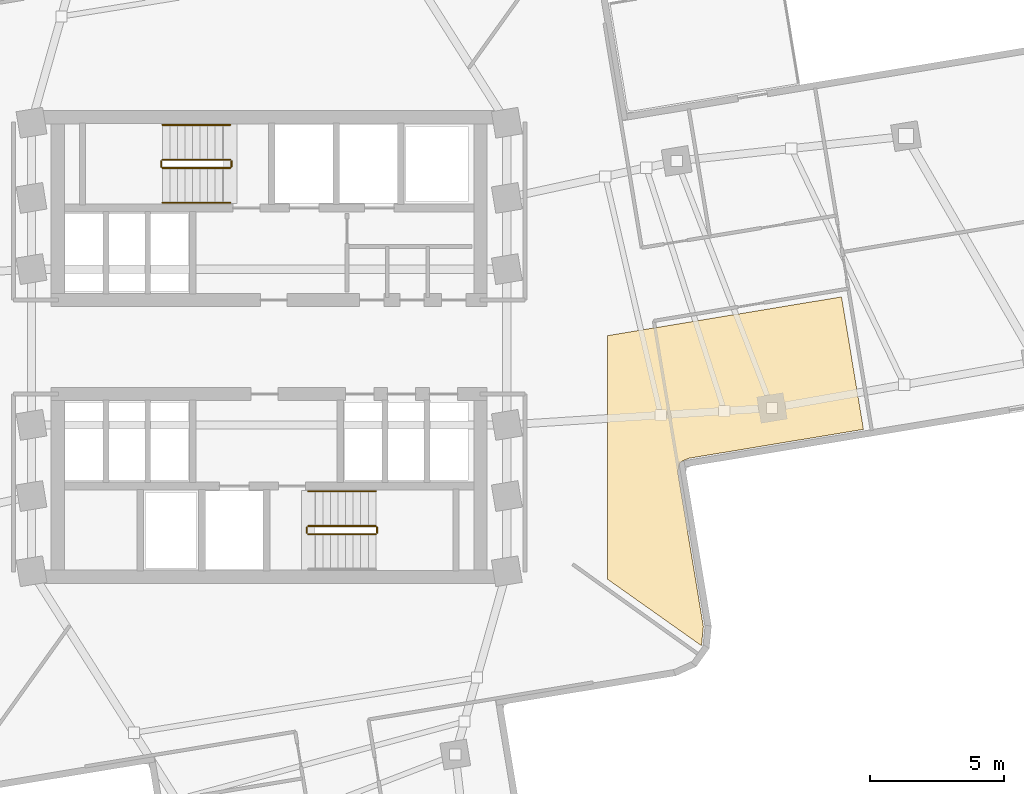
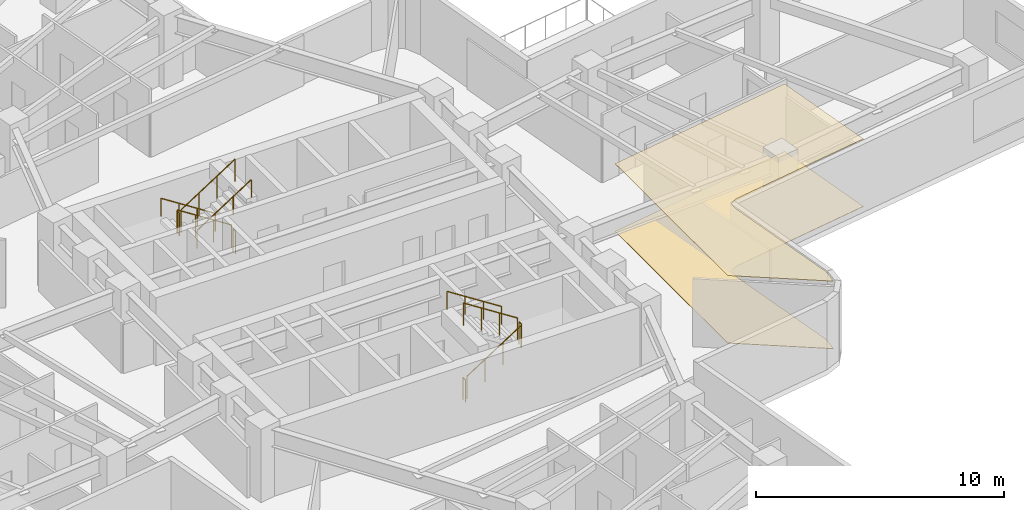
# One storey, part 12 of 13: 11 railings, 2 coverings.
"""IFC4 building model written with IfcOpenShell, lengths in metres."""

from ifc_helpers import new_model, si_unit, direction, frame, origin, origin_2d, place, context, subcontext, project, spatial, polyline, circle, outline, extrude, material, layer, layer_set, type_object, element, save


model = new_model("IFC4")

# Units and contexts
model_context = context("Model", 3, precision=1e-05, world=origin(), true_north=direction((0.0, 1.0)))
body_context = subcontext(model_context, "Body", "Model", "MODEL_VIEW")
ifc_project = project(units=[si_unit("LENGTHUNIT", "METRE"), si_unit("AREAUNIT", "SQUARE_METRE"), si_unit("VOLUMEUNIT", "CUBIC_METRE"), si_unit("PLANEANGLEUNIT", "RADIAN"), si_unit("MASSUNIT", "GRAM", prefix="KILO")], contexts=[model_context])

# Site, building, storey
site_placement = place(None, origin())
site = spatial("IfcSite", under=ifc_project, at=site_placement, CompositionType="ELEMENT")
building_placement = place(site_placement, origin())
building = spatial("IfcBuilding", under=site, at=building_placement, Name="Solmarez Civic Tower", CompositionType="ELEMENT")
storey_placement = place(building_placement, frame((0.0, 0.0, 96.47998046875)))
storey = spatial("IfcBuildingStorey", under=building, at=storey_placement, Name="L25", CompositionType="ELEMENT", Elevation=96.47998046875)

# Coverings
ifc_material_1 = material(Name="Perforated Mineral-Fibre Acoustic Ceiling")
ifc_layer_1 = layer(ifc_material_1, 0.02490234375)
ifc_layer_set_1 = layer_set([ifc_layer_1], Name="Perforated Mineral-Fibre Acoustic Ceiling")
covering_type_1 = type_object("IfcCoveringType", Name="COV-CEIL-ACOUSTIC", PredefinedType="CEILING", material=ifc_layer_set_1)
covering_1_placement = place(storey_placement, frame((0.0, 0.0, 3.31494140625)))
element("IfcCovering", 1, at=covering_1_placement, inside=storey, type_object=covering_type_1, Name="L25 Suspended Acoustic Ceiling 1", PredefinedType="CEILING", context=body_context, shape_type="SweptSolid", body=[
    extrude(outline(polyline([(12.60009765625, 0.423095703125), (12.60009765625, -8.64697265625), (16.093994140625, -11.1201171875), (16.097900390625, -11.114990234375), (16.1669921875, -10.408935546875), (15.22705078125, -4.72705078125), (15.22607421875, -4.721923828125), (15.22509765625, -4.715087890625), (15.222900390625, -4.68408203125), (15.222900390625, -4.669921875), (15.22412109375, -4.64794921875), (15.240966796875, -4.47705078125), (15.241943359375, -4.468017578125), (15.242919921875, -4.4609375), (15.248046875, -4.43896484375), (15.25, -4.430908203125), (15.2509765625, -4.424072265625), (15.2529296875, -4.4169921875), (15.262939453125, -4.389892578125), (15.26611328125, -4.383056640625), (15.27490234375, -4.364990234375), (15.284912109375, -4.347900390625), (15.2890625, -4.342041015625), (15.29296875, -4.3359375), (15.298095703125, -4.3291015625), (15.30908203125, -4.31494140625), (15.318115234375, -4.304931640625), (15.33203125, -4.2900390625), (15.347900390625, -4.27490234375), (15.364990234375, -4.262939453125), (15.37109375, -4.259033203125), (15.376953125, -4.2548828125), (15.389892578125, -4.2470703125), (15.39697265625, -4.242919921875), (15.4150390625, -4.23388671875), (15.572021484375, -4.1630859375), (15.593017578125, -4.154052734375), (15.59912109375, -4.152099609375), (15.60888671875, -4.14892578125), (15.623046875, -4.14501953125), (15.64697265625, -4.139892578125), (22.1279296875, -3.06689453125), (21.31201171875, 1.865966796875), (12.60009765625, 0.423095703125)])), origin(), (0.0, 0.0, 1.0), 0.025146484375),
])
ifc_material_2 = material(Name="Polished Tropical Stone Terrazzo Flooring", Category="masonry")
ifc_layer_2 = layer(ifc_material_2, 0.02001953125)
ifc_layer_set_2 = layer_set([ifc_layer_2], Name="Polished Tropical Stone Terrazzo Flooring")
covering_type_2 = type_object("IfcCoveringType", Name="COV-FLOOR-TERRAZZO", PredefinedType="FLOORING", material=ifc_layer_set_2)
covering_2_placement = place(storey_placement, origin())
element("IfcCovering", 2, at=covering_2_placement, inside=storey, type_object=covering_type_2, Name="L25 Terrazzo Floor Finish 1", PredefinedType="FLOORING", context=body_context, shape_type="SweptSolid", body=[
    extrude(outline(polyline([(12.60009765625, 0.423095703125), (12.60009765625, -8.64697265625), (16.093994140625, -11.1201171875), (16.097900390625, -11.114990234375), (16.1669921875, -10.408935546875), (15.22705078125, -4.72705078125), (15.22607421875, -4.721923828125), (15.22509765625, -4.715087890625), (15.222900390625, -4.68408203125), (15.222900390625, -4.669921875), (15.22412109375, -4.64794921875), (15.240966796875, -4.47705078125), (15.241943359375, -4.468017578125), (15.242919921875, -4.4609375), (15.248046875, -4.43896484375), (15.25, -4.430908203125), (15.2509765625, -4.424072265625), (15.2529296875, -4.4169921875), (15.262939453125, -4.389892578125), (15.26611328125, -4.383056640625), (15.27490234375, -4.364990234375), (15.284912109375, -4.347900390625), (15.2890625, -4.342041015625), (15.29296875, -4.3359375), (15.298095703125, -4.3291015625), (15.30908203125, -4.31494140625), (15.318115234375, -4.304931640625), (15.33203125, -4.2900390625), (15.347900390625, -4.27490234375), (15.364990234375, -4.262939453125), (15.37109375, -4.259033203125), (15.376953125, -4.2548828125), (15.389892578125, -4.2470703125), (15.39697265625, -4.242919921875), (15.4150390625, -4.23388671875), (15.572021484375, -4.1630859375), (15.593017578125, -4.154052734375), (15.59912109375, -4.152099609375), (15.60888671875, -4.14892578125), (15.623046875, -4.14501953125), (15.64697265625, -4.139892578125), (22.1279296875, -3.06689453125), (21.31201171875, 1.865966796875), (12.60009765625, 0.423095703125)])), origin(), (0.0, 0.0, 1.0), 0.02001953125),
])

# Railings
ifc_material_3 = material(Name="Painted Steel Stairwell Safety Guard", Category="steel")
railing_type_1 = type_object("IfcRailingType", Name="GUARD-STAIR-1120", PredefinedType="BALUSTRADE", material=ifc_material_3)
railing_1_placement = place(storey_placement, frame((-1.449951171875, 6.969970703125, 0.179931640625)))
element("IfcRailing", 3, at=railing_1_placement, inside=storey, type_object=railing_type_1, Name="L25 ST-1 stair guard 1", PredefinedType="BALUSTRADE", context=body_context, shape_type="SweptSolid", body=[
    extrude(circle(Radius=0.02392578125, at=origin_2d()), frame((0.0, 0.0, 1.09619140625), z_axis=(-0.841162588446, 0.0, 0.540782303519), x_axis=(0.0, -1.0, 0.0)), (0.0, 0.0, 1.0), 2.995849609375),
    extrude(circle(Radius=0.02099609375, at=origin_2d()), origin(), (0.0, 0.0, 1.0), 1.072021484375),
    extrude(circle(Radius=0.02099609375, at=origin_2d()), frame((-0.840087890625, 0.0, 0.5400390625)), (0.0, 0.0, 1.0), 1.072021484375),
    extrude(circle(Radius=0.02099609375, at=origin_2d()), frame((-1.679931640625, 0.0, 1.080078125)), (0.0, 0.0, 1.0), 1.072021484375),
    extrude(circle(Radius=0.02099609375, at=origin_2d()), frame((-2.52001953125, 0.0, 1.6201171875)), (0.0, 0.0, 1.0), 1.072021484375),
])
railing_2_placement = place(storey_placement, frame((-4.02001953125, 6.919921875, 1.800048828125)))
element("IfcRailing", 4, at=railing_2_placement, inside=storey, type_object=railing_type_1, Name="L25 ST-1 stair guard 2", PredefinedType="BALUSTRADE", context=body_context, shape_type="SweptSolid", body=[
    extrude(circle(Radius=0.02392578125, at=origin_2d()), frame((0.0, 0.0, 1.09619140625), z_axis=(0.0, -1.0, 0.0), x_axis=(1.0, 0.0, 0.0)), (0.0, 0.0, 1.0), 0.199951171875),
    extrude(circle(Radius=0.02099609375, at=origin_2d()), origin(), (0.0, 0.0, 1.0), 1.072021484375),
    extrude(circle(Radius=0.02099609375, at=origin_2d()), frame((0.0, -0.199951171875, 0.0)), (0.0, 0.0, 1.0), 1.072021484375),
])
railing_3_placement = place(storey_placement, frame((-3.969970703125, 6.669921875, 1.97998046875)))
element("IfcRailing", 5, at=railing_3_placement, inside=storey, type_object=railing_type_1, Name="L25 ST-1 stair guard 3", PredefinedType="BALUSTRADE", context=body_context, shape_type="SweptSolid", body=[
    extrude(circle(Radius=0.02392578125, at=origin_2d()), frame((0.0, 0.0, 1.09619140625), z_axis=(0.841162588446, 0.0, 0.540782303519), x_axis=(0.0, 1.0, 0.0)), (0.0, 0.0, 1.0), 2.995849609375),
    extrude(circle(Radius=0.02099609375, at=origin_2d()), origin(), (0.0, 0.0, 1.0), 1.072021484375),
    extrude(circle(Radius=0.02099609375, at=origin_2d()), frame((0.840087890625, 0.0, 0.5400390625)), (0.0, 0.0, 1.0), 1.072021484375),
    extrude(circle(Radius=0.02099609375, at=origin_2d()), frame((1.679931640625, 0.0, 1.080078125)), (0.0, 0.0, 1.0), 1.072021484375),
    extrude(circle(Radius=0.02099609375, at=origin_2d()), frame((2.52001953125, 0.0, 1.6201171875)), (0.0, 0.0, 1.0), 1.072021484375),
])
railing_4_placement = place(storey_placement, frame((-1.39990234375, 6.919921875, 0.0)))
element("IfcRailing", 6, at=railing_4_placement, inside=storey, type_object=railing_type_1, Name="L25 ST-1 stair guard 4", PredefinedType="BALUSTRADE", context=body_context, shape_type="SweptSolid", body=[
    extrude(circle(Radius=0.02392578125, at=origin_2d()), frame((0.0, 0.0, 1.09619140625), z_axis=(0.0, -1.0, 0.0), x_axis=(1.0, 0.0, 0.0)), (0.0, 0.0, 1.0), 0.199951171875),
    extrude(circle(Radius=0.02099609375, at=origin_2d()), origin(), (0.0, 0.0, 1.0), 1.072021484375),
    extrude(circle(Radius=0.02099609375, at=origin_2d()), frame((0.0, -0.199951171875, 0.0)), (0.0, 0.0, 1.0), 1.072021484375),
])
railing_5_placement = place(storey_placement, frame((1.449951171875, -6.969970703125, 0.179931640625)))
element("IfcRailing", 7, at=railing_5_placement, inside=storey, type_object=railing_type_1, Name="L25 ST-2 stair guard 1", PredefinedType="BALUSTRADE", context=body_context, shape_type="SweptSolid", body=[
    extrude(circle(Radius=0.02392578125, at=origin_2d()), frame((0.0, 0.0, 1.09619140625), z_axis=(0.841162588446, 0.0, 0.540782303519), x_axis=(0.0, 1.0, 0.0)), (0.0, 0.0, 1.0), 2.995849609375),
    extrude(circle(Radius=0.02099609375, at=origin_2d()), origin(), (0.0, 0.0, 1.0), 1.072021484375),
    extrude(circle(Radius=0.02099609375, at=origin_2d()), frame((0.840087890625, 0.0, 0.5400390625)), (0.0, 0.0, 1.0), 1.072021484375),
    extrude(circle(Radius=0.02099609375, at=origin_2d()), frame((1.679931640625, 0.0, 1.080078125)), (0.0, 0.0, 1.0), 1.072021484375),
    extrude(circle(Radius=0.02099609375, at=origin_2d()), frame((2.52001953125, 0.0, 1.6201171875)), (0.0, 0.0, 1.0), 1.072021484375),
])
railing_6_placement = place(storey_placement, frame((4.02001953125, -6.919921875, 1.800048828125)))
element("IfcRailing", 8, at=railing_6_placement, inside=storey, type_object=railing_type_1, Name="L25 ST-2 stair guard 2", PredefinedType="BALUSTRADE", context=body_context, shape_type="SweptSolid", body=[
    extrude(circle(Radius=0.02392578125, at=origin_2d()), frame((0.0, 0.0, 1.09619140625), z_axis=(0.0, 1.0, 0.0), x_axis=(-1.0, 0.0, 0.0)), (0.0, 0.0, 1.0), 0.199951171875),
    extrude(circle(Radius=0.02099609375, at=origin_2d()), origin(), (0.0, 0.0, 1.0), 1.072021484375),
    extrude(circle(Radius=0.02099609375, at=origin_2d()), frame((0.0, 0.199951171875, 0.0)), (0.0, 0.0, 1.0), 1.072021484375),
])
railing_7_placement = place(storey_placement, frame((3.969970703125, -6.669921875, 1.97998046875)))
element("IfcRailing", 9, at=railing_7_placement, inside=storey, type_object=railing_type_1, Name="L25 ST-2 stair guard 3", PredefinedType="BALUSTRADE", context=body_context, shape_type="SweptSolid", body=[
    extrude(circle(Radius=0.02392578125, at=origin_2d()), frame((0.0, 0.0, 1.09619140625), z_axis=(-0.841162588446, 0.0, 0.540782303519), x_axis=(0.0, -1.0, 0.0)), (0.0, 0.0, 1.0), 2.995849609375),
    extrude(circle(Radius=0.02099609375, at=origin_2d()), origin(), (0.0, 0.0, 1.0), 1.072021484375),
    extrude(circle(Radius=0.02099609375, at=origin_2d()), frame((-0.840087890625, 0.0, 0.5400390625)), (0.0, 0.0, 1.0), 1.072021484375),
    extrude(circle(Radius=0.02099609375, at=origin_2d()), frame((-1.679931640625, 0.0, 1.080078125)), (0.0, 0.0, 1.0), 1.072021484375),
    extrude(circle(Radius=0.02099609375, at=origin_2d()), frame((-2.52001953125, 0.0, 1.6201171875)), (0.0, 0.0, 1.0), 1.072021484375),
])
railing_8_placement = place(storey_placement, frame((1.39990234375, -6.919921875, 0.0)))
element("IfcRailing", 10, at=railing_8_placement, inside=storey, type_object=railing_type_1, Name="L25 ST-2 stair guard 4", PredefinedType="BALUSTRADE", context=body_context, shape_type="SweptSolid", body=[
    extrude(circle(Radius=0.02392578125, at=origin_2d()), frame((0.0, 0.0, 1.09619140625), z_axis=(0.0, 1.0, 0.0), x_axis=(-1.0, 0.0, 0.0)), (0.0, 0.0, 1.0), 0.199951171875),
    extrude(circle(Radius=0.02099609375, at=origin_2d()), origin(), (0.0, 0.0, 1.0), 1.072021484375),
    extrude(circle(Radius=0.02099609375, at=origin_2d()), frame((0.0, 0.199951171875, 0.0)), (0.0, 0.0, 1.0), 1.072021484375),
])
ifc_material_4 = material(Name="Brushed Stainless Steel Tube Handrail", Category="steel")
railing_type_2 = type_object("IfcRailingType", Name="HANDRAIL-STAIR-900", PredefinedType="HANDRAIL", material=ifc_material_4)
railing_9_placement = place(storey_placement, frame((-1.449951171875, 8.27001953125, 0.179931640625)))
element("IfcRailing", 11, at=railing_9_placement, inside=storey, type_object=railing_type_2, Name="L25 ST-1 stair handrail 1", PredefinedType="HANDRAIL", context=body_context, shape_type="SweptSolid", body=[
    extrude(circle(Radius=0.02392578125, at=origin_2d()), frame((0.0, 0.0, 0.8759765625), z_axis=(-0.841162588446, 0.0, 0.540782303519), x_axis=(0.0, -1.0, 0.0)), (0.0, 0.0, 1.0), 2.995849609375),
    extrude(circle(Radius=0.02099609375, at=origin_2d()), origin(), (0.0, 0.0, 1.0), 0.851806640625),
    extrude(circle(Radius=0.02099609375, at=origin_2d()), frame((-0.840087890625, 0.0, 0.5400390625)), (0.0, 0.0, 1.0), 0.851806640625),
    extrude(circle(Radius=0.02099609375, at=origin_2d()), frame((-1.679931640625, 0.0, 1.080078125)), (0.0, 0.0, 1.0), 0.851806640625),
    extrude(circle(Radius=0.02099609375, at=origin_2d()), frame((-2.52001953125, 0.0, 1.6201171875)), (0.0, 0.0, 1.0), 0.851806640625),
])
railing_10_placement = place(storey_placement, frame((-3.969970703125, 5.3701171875, 1.97998046875)))
element("IfcRailing", 12, at=railing_10_placement, inside=storey, type_object=railing_type_2, Name="L25 ST-1 stair handrail 2", PredefinedType="HANDRAIL", context=body_context, shape_type="SweptSolid", body=[
    extrude(circle(Radius=0.02392578125, at=origin_2d()), frame((0.0, 0.0, 0.8759765625), z_axis=(0.841162588446, 0.0, 0.540782303519), x_axis=(0.0, 1.0, 0.0)), (0.0, 0.0, 1.0), 2.995849609375),
    extrude(circle(Radius=0.02099609375, at=origin_2d()), origin(), (0.0, 0.0, 1.0), 0.851806640625),
    extrude(circle(Radius=0.02099609375, at=origin_2d()), frame((0.840087890625, 0.0, 0.5400390625)), (0.0, 0.0, 1.0), 0.851806640625),
    extrude(circle(Radius=0.02099609375, at=origin_2d()), frame((1.679931640625, 0.0, 1.080078125)), (0.0, 0.0, 1.0), 0.851806640625),
    extrude(circle(Radius=0.02099609375, at=origin_2d()), frame((2.52001953125, 0.0, 1.6201171875)), (0.0, 0.0, 1.0), 0.851806640625),
])
railing_11_placement = place(storey_placement, frame((3.969970703125, -5.3701171875, 1.97998046875)))
element("IfcRailing", 13, at=railing_11_placement, inside=storey, type_object=railing_type_2, Name="L25 ST-2 stair handrail 2", PredefinedType="HANDRAIL", context=body_context, shape_type="SweptSolid", body=[
    extrude(circle(Radius=0.02392578125, at=origin_2d()), frame((0.0, 0.0, 0.8759765625), z_axis=(-0.841162588446, 0.0, 0.540782303519), x_axis=(0.0, -1.0, 0.0)), (0.0, 0.0, 1.0), 2.995849609375),
    extrude(circle(Radius=0.02099609375, at=origin_2d()), origin(), (0.0, 0.0, 1.0), 0.851806640625),
    extrude(circle(Radius=0.02099609375, at=origin_2d()), frame((-0.840087890625, 0.0, 0.5400390625)), (0.0, 0.0, 1.0), 0.851806640625),
    extrude(circle(Radius=0.02099609375, at=origin_2d()), frame((-1.679931640625, 0.0, 1.080078125)), (0.0, 0.0, 1.0), 0.851806640625),
    extrude(circle(Radius=0.02099609375, at=origin_2d()), frame((-2.52001953125, 0.0, 1.6201171875)), (0.0, 0.0, 1.0), 0.851806640625),
])

save(model, "model.ifc")
